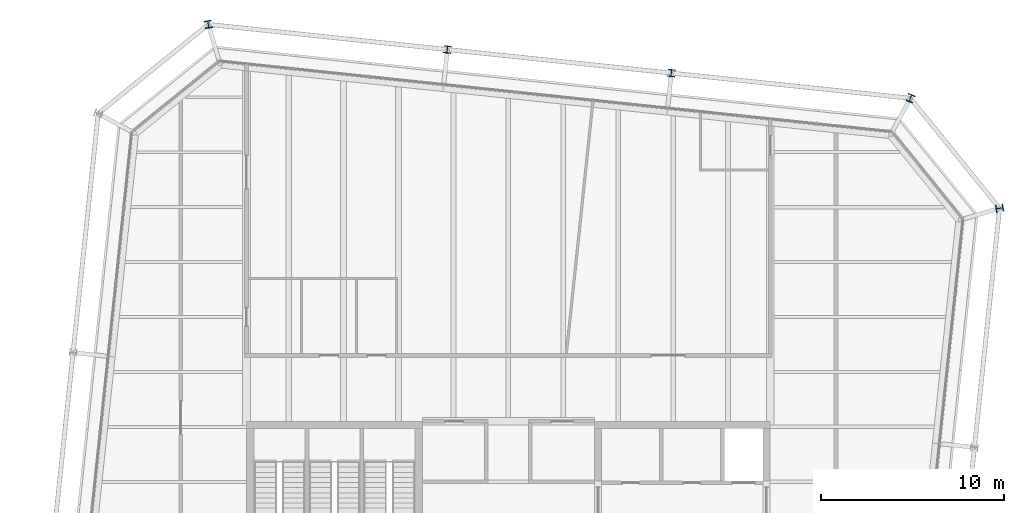
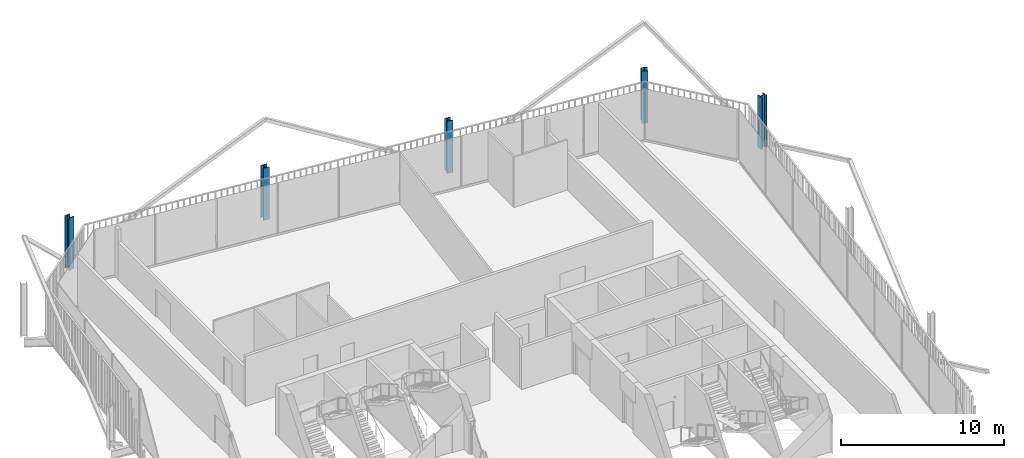
# One storey, part 2 of 21: 5 columns.
"""IFC4 building model written with IfcOpenShell, lengths in metres."""

from ifc_helpers import new_model, si_unit, direction, frame, origin, origin_2d, place, context, subcontext, project, spatial, i_section, extrude, material, material_profile, profile_set, type_object, element, save


model = new_model("IFC4")

# Units and contexts
model_context = context("Model", 3, precision=1e-05, world=origin(), true_north=direction((0.0, 1.0)))
body_context = subcontext(model_context, "Body", "Model", "MODEL_VIEW")
ifc_project = project(units=[si_unit("LENGTHUNIT", "METRE"), si_unit("AREAUNIT", "SQUARE_METRE"), si_unit("VOLUMEUNIT", "CUBIC_METRE"), si_unit("PLANEANGLEUNIT", "RADIAN"), si_unit("MASSUNIT", "GRAM", prefix="KILO")], contexts=[model_context])

# Site, building, storey
site_placement = place(None, origin())
site = spatial("IfcSite", under=ifc_project, at=site_placement, CompositionType="ELEMENT")
building_placement = place(site_placement, origin())
building = spatial("IfcBuilding", under=site, at=building_placement, Name="Millrace Tower", CompositionType="ELEMENT")
storey_placement = place(building_placement, frame((0.0, 0.0, 291.60009765625)))
storey = spatial("IfcBuildingStorey", under=building, at=storey_placement, Name="L67", CompositionType="ELEMENT", Elevation=291.60009765625)

# Columns
ifc_material_1 = material(Name="Steel ASTM A913 Grade 65", Category="steel")
ifc_material_profile_1 = material_profile(ifc_material_1, i_section(OverallWidth=0.4013671875, OverallDepth=0.398681640625, WebThickness=0.02490234375, FlangeThickness=0.03955078125, FilletRadius=0.01513671875, at=origin_2d()))
ifc_profile_set_1 = profile_set([ifc_material_profile_1], Name="Steel ASTM A913 Grade 65")
column_type_1 = type_object("IfcColumnType", Name="Exoskeleton column W14x211", PredefinedType="COLUMN", material=ifc_profile_set_1)
for number, where, z_axis, x_axis, name in (
    (1, (8.9033203125, 28.321533203125, 0.0), (0.0, 0.0, 1.0), (-0.994521897246, 0.104528445407, 0.0), "COL-E-L67-X11"),
    (2, (-3.329345703125, 29.607177734375, 0.0), (0.0, 0.0, 1.0), (-0.994521897246, 0.104528445407, 0.0), "COL-E-L67-X12"),
):
    element("IfcColumn", number, at=place(storey_placement, frame(where, z_axis=z_axis, x_axis=x_axis)), inside=storey, type_object=column_type_1, Name=name, PredefinedType="COLUMN", context=body_context, shape_type="SweptSolid", body=[
        extrude(i_section(OverallWidth=0.4013671875, OverallDepth=0.398681640625, WebThickness=0.02490234375, FlangeThickness=0.03955078125, FilletRadius=0.01513671875, at=origin_2d()), origin(), (0.0, 0.0, 1.0), 3.89990234375),
    ])
ifc_material_2 = material(Name="Steel ASTM A913 Grade 65", Category="steel")
ifc_material_profile_2 = material_profile(ifc_material_2, i_section(OverallWidth=0.406494140625, OverallDepth=0.41650390625, WebThickness=0.030029296875, FlangeThickness=0.048095703125, FilletRadius=0.01513671875, at=origin_2d()))
ifc_profile_set_2 = profile_set([ifc_material_profile_2], Name="Steel ASTM A913 Grade 65")
column_type_2 = type_object("IfcColumnType", Name="Exoskeleton column W14x257", PredefinedType="COLUMN", material=ifc_profile_set_2)
for number, where, z_axis, x_axis, name in (
    (3, (26.82958984375, 20.935791015625, 0.0), (0.0, 0.0, 1.0), (-0.18038747256, 0.983595628164, 0.0), "COL-E-L67-X09"),
    (4, (21.9599609375, 26.94921875, 0.0), (0.0, 0.0, 1.0), (-0.92459700658, 0.380946683176, 0.0), "COL-E-L67-X10"),
    (5, (-16.3857421875, 30.9794921875, 0.0), (0.0, 0.0, 1.0), (-0.983595628164, -0.18038747256, 0.0), "COL-E-L67-X13"),
):
    element("IfcColumn", number, at=place(storey_placement, frame(where, z_axis=z_axis, x_axis=x_axis)), inside=storey, type_object=column_type_2, Name=name, PredefinedType="COLUMN", context=body_context, shape_type="SweptSolid", body=[
        extrude(i_section(OverallWidth=0.406494140625, OverallDepth=0.41650390625, WebThickness=0.030029296875, FlangeThickness=0.048095703125, FilletRadius=0.01513671875, at=origin_2d()), origin(), (0.0, 0.0, 1.0), 3.89990234375),
    ])

save(model, "model.ifc")
